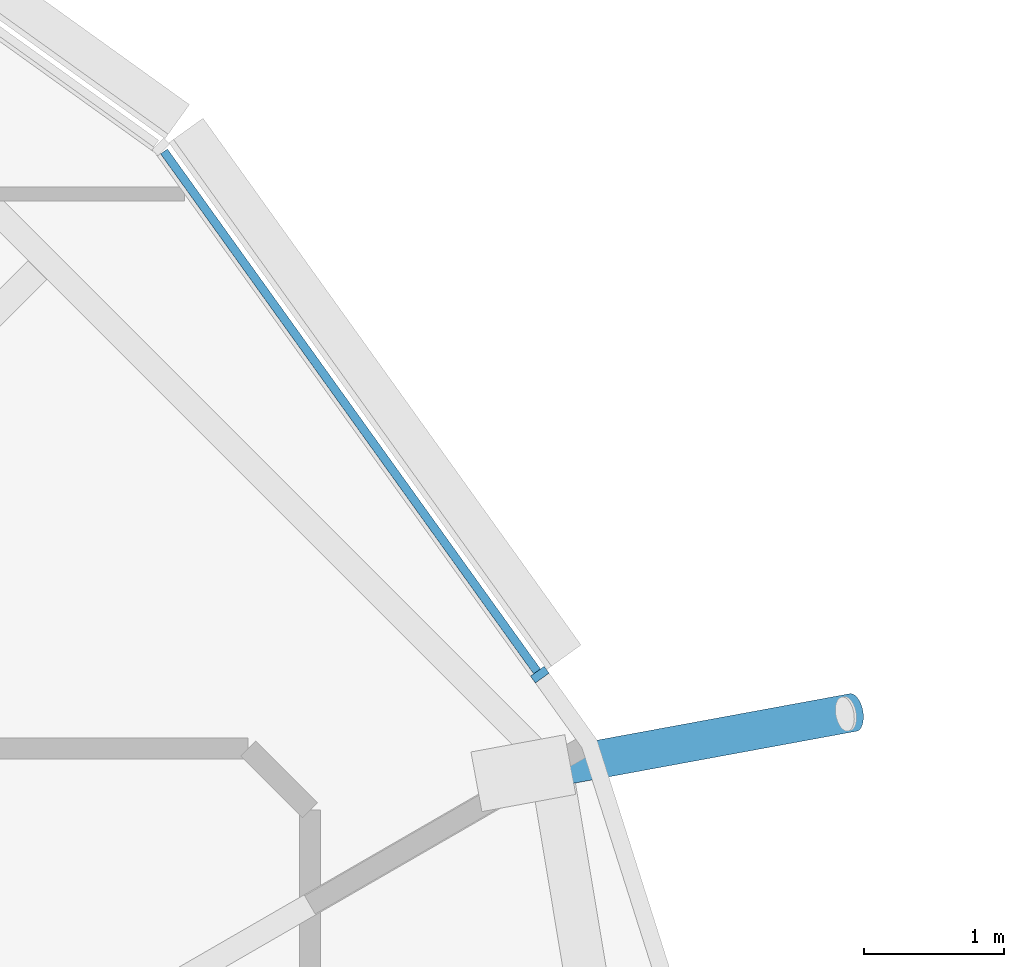
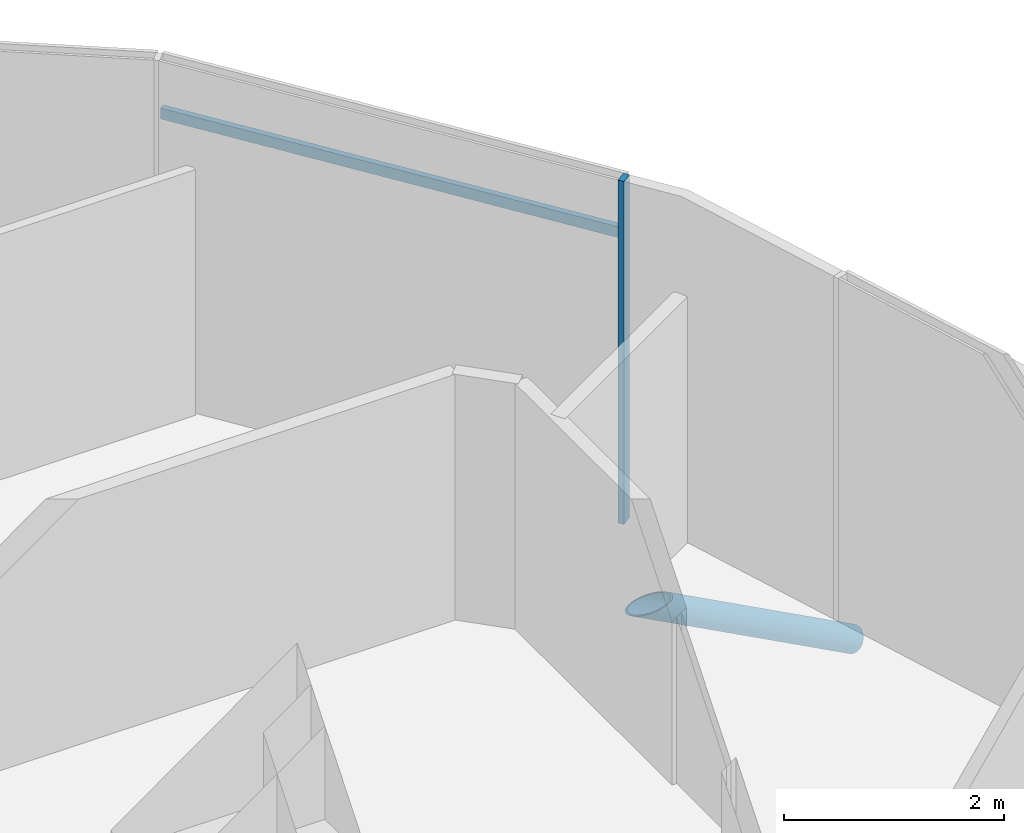
# One storey, part 14 of 36: 3 members, 1 element without a shape of its own.
"""IFC4 building model written with IfcOpenShell, lengths in metres."""

from ifc_helpers import new_model, si_unit, direction, frame, origin, origin_2d, place, context, subcontext, project, spatial, rectangle, hollow_circle, extrude, clip, halfspace, material, material_profile, profile_set, type_object, element, aggregate, save


model = new_model("IFC4")

# Units and contexts
model_context = context("Model", 3, precision=1e-05, world=origin(), true_north=direction((0.0, 1.0)))
body_context = subcontext(model_context, "Body", "Model", "MODEL_VIEW")
ifc_project = project(units=[si_unit("LENGTHUNIT", "METRE"), si_unit("AREAUNIT", "SQUARE_METRE"), si_unit("VOLUMEUNIT", "CUBIC_METRE"), si_unit("PLANEANGLEUNIT", "RADIAN"), si_unit("MASSUNIT", "GRAM", prefix="KILO")], contexts=[model_context])

# Site, building, storey
site_placement = place(None, origin())
site = spatial("IfcSite", under=ifc_project, at=site_placement, CompositionType="ELEMENT")
building_placement = place(site_placement, origin())
building = spatial("IfcBuilding", under=site, at=building_placement, Name="Rimbun Link Towers", CompositionType="ELEMENT")
storey_placement = place(building_placement, frame((0.0, 0.0, 248.5)))
storey = spatial("IfcBuildingStorey", under=building, at=storey_placement, Name="L61", CompositionType="ELEMENT", Elevation=248.5)

# Curtain wall, members
ifc_material_1 = material(Name="Aluminium 6063-T6 and low-iron glass", Category="aluminium")
curtain_wall_type = type_object("IfcCurtainWallType", Name="CW1-Z4 unitised vision wall (zone 4)", PredefinedType="NOTDEFINED", material=ifc_material_1)
curtain_wall_placement = place(storey_placement, origin())
curtain_wall = element("IfcCurtainWall", 1, at=curtain_wall_placement, inside=storey, type_object=curtain_wall_type, Name="CW1 L61 T2", PredefinedType="NOTDEFINED")
ifc_material_2 = material(Name="Aluminium 6063-T6", Category="aluminium")
ifc_material_profile_1 = material_profile(ifc_material_2, rectangle(XDim=0.1201171875, YDim=0.06005859375, at=origin_2d()), Name="MULLION 60X120")
ifc_profile_set_1 = profile_set([ifc_material_profile_1], Name="Aluminium 6063-T6")
member_type_1 = type_object("IfcMemberType", Name="CW1 mullion 60X120", PredefinedType="MULLION", material=ifc_profile_set_1)
member_1_placement = place(storey_placement, frame((48.71630859375, 10.49169921875, 0.0), z_axis=(0.0, 0.0, 1.0), x_axis=(0.812465398272, 0.583009413827, 0.0)))
member_1 = element("IfcMember", 2, at=member_1_placement, type_object=member_type_1, Name="CW1 mullion", PredefinedType="MULLION", context=body_context, shape_type="SweptSolid", body=[
    extrude(rectangle(XDim=0.1201171875, YDim=0.06005859375, at=origin_2d()), origin(), (0.0, 0.0, 1.0), 3.800048828125),
])
ifc_material_3 = material(Name="Aluminium 6063-T6", Category="aluminium")
ifc_material_profile_2 = material_profile(ifc_material_3, rectangle(XDim=0.06005859375, YDim=0.1201171875, at=origin_2d()), Name="TRANSOM 60X120")
ifc_profile_set_2 = profile_set([ifc_material_profile_2], Name="Aluminium 6063-T6")
member_type_2 = type_object("IfcMemberType", Name="CW1 transom 60X120", PredefinedType="USERDEFINED", material=ifc_profile_set_2)
member_2_placement = place(storey_placement, frame((46.032958984375, 14.227783203125, 3.199951171875), z_axis=(0.582975350836, -0.812489840132, 0.0), x_axis=(0.812489840132, 0.582975350836, 0.0)))
member_2 = element("IfcMember", 3, at=member_2_placement, type_object=member_type_2, Name="CW1 transom", ObjectType="TRANSOM", PredefinedType="USERDEFINED", context=body_context, shape_type="SweptSolid", body=[
    extrude(rectangle(XDim=0.06005859375, YDim=0.1201171875, at=origin_2d()), origin(), (0.0, 0.0, 1.0), 4.56982421875),
])
aggregate(curtain_wall, [member_1, member_2])

# Member
ifc_material_4 = material(Name="Steel S355J2H", Category="steel")
ifc_material_profile_3 = material_profile(ifc_material_4, hollow_circle(Radius=0.136474609375, WallThickness=0.012451171875, at=origin_2d()), Name="CHS 273x12.5")
ifc_profile_set_3 = profile_set([ifc_material_profile_3], Name="Steel S355J2H")
member_type_3 = type_object("IfcMemberType", Name="Floor edge link CHS 273x12.5", PredefinedType="BRACE", material=ifc_profile_set_3)
member_3_placement = place(storey_placement, frame((48.75244140625, 9.81640625, -0.559326171875), z_axis=(0.837870214307, 0.154131678167, -0.52365726364), x_axis=(-0.18092079615, 0.983497669301, 0.0)))
element("IfcMember", 4, at=member_3_placement, inside=storey, type_object=member_type_3, Name="Floor edge link T2 L61 23", PredefinedType="BRACE", context=body_context, shape_type="Clipping", body=[
    clip(extrude(hollow_circle(Radius=0.136474609375, WallThickness=0.012451171875, at=origin_2d()), frame((0.0, 0.0, -0.463134765625)), (0.0, 0.0, 1.0), 3.08935546875), halfspace(frame((0.0, 0.0, -0.217529296875), z_axis=(0.0, 0.851929028873, -0.52365726364)), False)),
])

save(model, "model.ifc")
